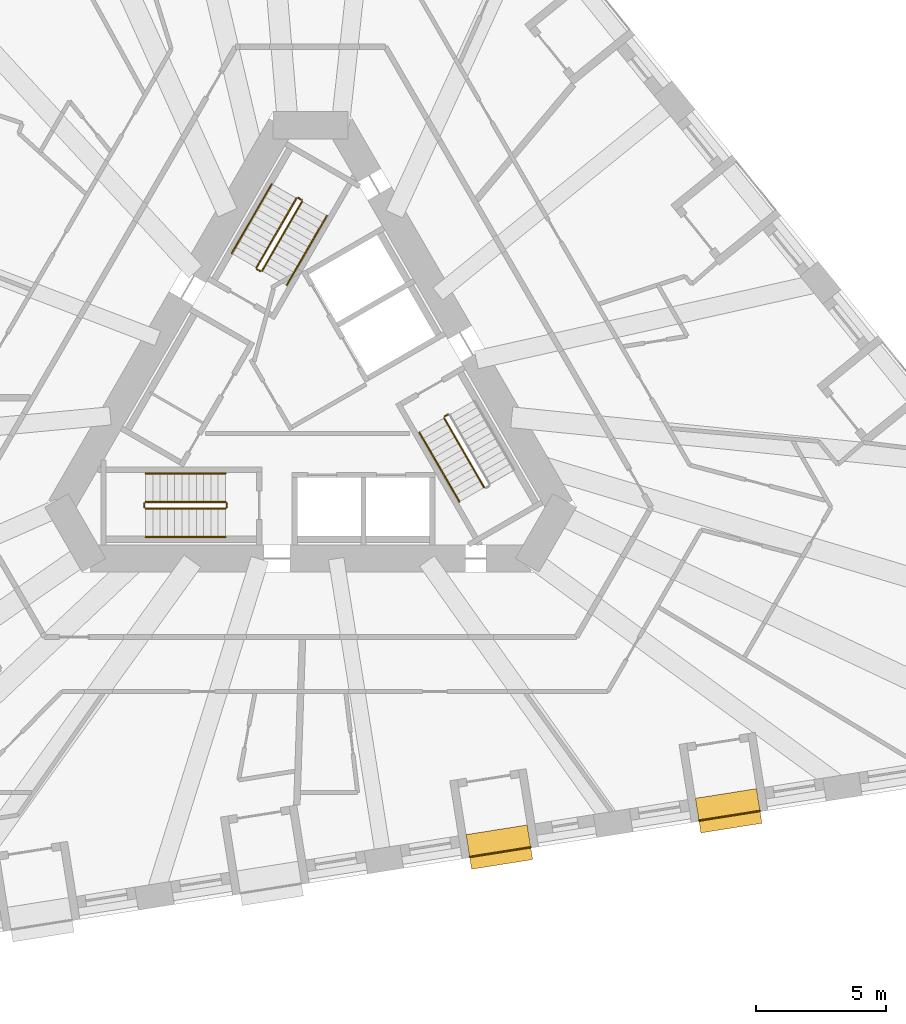
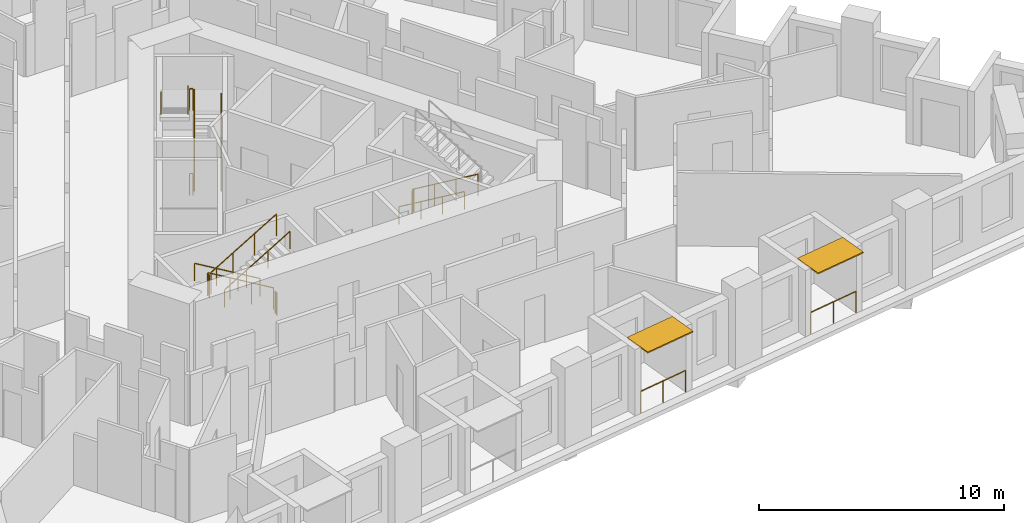
# One storey, part 12 of 14: 17 railings, 2 shading devices.
"""IFC4 building model written with IfcOpenShell, lengths in metres."""

from ifc_helpers import new_model, si_unit, direction, frame, origin, origin_2d, place, context, subcontext, project, spatial, rectangle, circle, extrude, material, layer, layer_set, type_object, element, save


model = new_model("IFC4")

# Units and contexts
model_context = context("Model", 3, precision=1e-05, world=origin(), true_north=direction((0.0, 1.0)))
body_context = subcontext(model_context, "Body", "Model", "MODEL_VIEW")
ifc_project = project(units=[si_unit("LENGTHUNIT", "METRE"), si_unit("AREAUNIT", "SQUARE_METRE"), si_unit("VOLUMEUNIT", "CUBIC_METRE"), si_unit("PLANEANGLEUNIT", "RADIAN"), si_unit("MASSUNIT", "GRAM", prefix="KILO")], contexts=[model_context])

# Site, building, storey
site_placement = place(None, origin())
site = spatial("IfcSite", under=ifc_project, at=site_placement, CompositionType="ELEMENT")
building_placement = place(site_placement, origin())
building = spatial("IfcBuilding", under=site, at=building_placement, Name="Tramontana Tower", CompositionType="ELEMENT")
storey_placement = place(building_placement, frame((0.0, 0.0, 63.199951171875)))
storey = spatial("IfcBuildingStorey", under=building, at=storey_placement, Name="L13", CompositionType="ELEMENT", Elevation=63.199951171875)

# Railings
ifc_material_1 = material(Name="Laminated glass balustrade", Category="glass")
railing_type_1 = type_object("IfcRailingType", Name="GD1 Loggia glass balustrade 1100", PredefinedType="BALUSTRADE", material=ifc_material_1)
railing_1_placement = place(storey_placement, frame((6.1318359375, -17.72900390625, 0.0)))
element("IfcRailing", 1, at=railing_1_placement, inside=storey, type_object=railing_type_1, Name="Loggia balustrade L13 G1S1.10", PredefinedType="BALUSTRADE", context=body_context, shape_type="SweptSolid", body=[
    extrude(circle(Radius=0.02392578125, at=origin_2d()), frame((0.0, 0.0, 1.076171875), z_axis=(0.987688093492, 0.15643602518, 0.0), x_axis=(-0.15643602518, 0.987688093492, 0.0)), (0.0, 0.0, 1.0), 2.383056640625),
    extrude(circle(Radius=0.02099609375, at=origin_2d()), origin(), (0.0, 0.0, 1.0), 1.052001953125),
    extrude(circle(Radius=0.02099609375, at=origin_2d()), frame((1.1767578125, 0.1865234375, 0.0)), (0.0, 0.0, 1.0), 1.052001953125),
    extrude(circle(Radius=0.02099609375, at=origin_2d()), frame((2.353759765625, 0.372802734375, 0.0)), (0.0, 0.0, 1.0), 1.052001953125),
])
railing_2_placement = place(storey_placement, frame((14.970703125, -16.3291015625, 0.0)))
element("IfcRailing", 2, at=railing_2_placement, inside=storey, type_object=railing_type_1, Name="Loggia balustrade L13 G1S1.13", PredefinedType="BALUSTRADE", context=body_context, shape_type="SweptSolid", body=[
    extrude(circle(Radius=0.02392578125, at=origin_2d()), frame((0.0, 0.0, 1.076171875), z_axis=(0.987685586014, 0.156451855793, 0.0), x_axis=(-0.156451855793, 0.987685586014, 0.0)), (0.0, 0.0, 1.0), 2.3828125),
    extrude(circle(Radius=0.02099609375, at=origin_2d()), origin(), (0.0, 0.0, 1.0), 1.052001953125),
    extrude(circle(Radius=0.02099609375, at=origin_2d()), frame((1.1767578125, 0.1865234375, 0.0)), (0.0, 0.0, 1.0), 1.052001953125),
    extrude(circle(Radius=0.02099609375, at=origin_2d()), frame((2.353515625, 0.372802734375, 0.0)), (0.0, 0.0, 1.0), 1.052001953125),
])

# Shading devices
ifc_material_2 = material(Name="Precast concrete 60 MPa", Category="concrete")
ifc_layer = layer(ifc_material_2, 0.06005859375)
ifc_layer_set = layer_set([ifc_layer], Name="SS1 Stone sunshade blade 60")
shading_device_type = type_object("IfcShadingDeviceType", Name="SS1 Stone sunshade blade 60", PredefinedType="USERDEFINED", material=ifc_layer_set)
for number, where, z_axis, x_axis, name in (
    (3, (7.2783203125, -17.35009765625, 3.239990234375), (0.0, 0.0, 1.0), (0.987688340595, 0.15643446504, 0.0), "Sunshade L13 G1S1.10"),
    (4, (16.116943359375, -15.9501953125, 3.239990234375), (0.0, 0.0, 1.0), (0.987688340595, 0.15643446504, 0.0), "Sunshade L13 G1S1.13"),
):
    element("IfcShadingDevice", number, at=place(storey_placement, frame(where, z_axis=z_axis, x_axis=x_axis)), inside=storey, type_object=shading_device_type, Name=name, ObjectType="SUNSHADE", PredefinedType="USERDEFINED", context=body_context, shape_type="SweptSolid", body=[
        extrude(rectangle(XDim=2.383056640625, YDim=1.35009765625, at=origin_2d()), origin(), (0.0, 0.0, 1.0), 0.06005859375),
    ])

# Railings
ifc_material_3 = material(Name="Painted steel", Category="steel")
railing_type_2 = type_object("IfcRailingType", Name="STAIR GUARD 1100", PredefinedType="GUARDRAIL", material=ifc_material_3)
railing_3_placement = place(storey_placement, frame((-1.867431640625, 4.865478515625, 0.166748046875)))
element("IfcRailing", 5, at=railing_3_placement, inside=storey, type_object=railing_type_2, Name="L13 ST1 stair guard 1", PredefinedType="GUARDRAIL", context=body_context, shape_type="SweptSolid", body=[
    extrude(circle(Radius=0.02392578125, at=origin_2d()), frame((0.0, 0.0, 1.076171875), z_axis=(0.429649414936, 0.744189839504, 0.511451721109), x_axis=(-0.866029832698, 0.499992328818, 0.0)), (0.0, 0.0, 1.0), 3.58447265625),
    extrude(circle(Radius=0.02099609375, at=origin_2d()), origin(), (0.0, 0.0, 1.0), 1.052001953125),
    extrude(circle(Radius=0.02099609375, at=origin_2d()), frame((0.513427734375, 0.88916015625, 0.611083984375)), (0.0, 0.0, 1.0), 1.052001953125),
    extrude(circle(Radius=0.02099609375, at=origin_2d()), frame((1.026611328125, 1.7783203125, 1.22216796875)), (0.0, 0.0, 1.0), 1.052001953125),
    extrude(circle(Radius=0.02099609375, at=origin_2d()), frame((1.5400390625, 2.66748046875, 1.833251953125)), (0.0, 0.0, 1.0), 1.052001953125),
])
railing_4_placement = place(storey_placement, frame((-0.5439453125, 7.657958984375, 2.166748046875)))
element("IfcRailing", 6, at=railing_4_placement, inside=storey, type_object=railing_type_2, Name="L13 ST1 stair guard 2", PredefinedType="GUARDRAIL", context=body_context, shape_type="SweptSolid", body=[
    extrude(circle(Radius=0.02392578125, at=origin_2d()), frame((0.0, 0.0, 1.076171875), z_axis=(-0.429649414936, -0.744189839504, 0.511451721109), x_axis=(0.866029832698, -0.499992328818, 0.0)), (0.0, 0.0, 1.0), 3.58447265625),
    extrude(circle(Radius=0.02099609375, at=origin_2d()), origin(), (0.0, 0.0, 1.0), 1.052001953125),
    extrude(circle(Radius=0.02099609375, at=origin_2d()), frame((-0.513427734375, -0.88916015625, 0.611083984375)), (0.0, 0.0, 1.0), 1.052001953125),
    extrude(circle(Radius=0.02099609375, at=origin_2d()), frame((-1.026611328125, -1.7783203125, 1.22216796875)), (0.0, 0.0, 1.0), 1.052001953125),
    extrude(circle(Radius=0.02099609375, at=origin_2d()), frame((-1.5400390625, -2.66748046875, 1.833251953125)), (0.0, 0.0, 1.0), 1.052001953125),
])
railing_5_placement = place(storey_placement, frame((-0.345703125, 7.601318359375, 2.0)))
element("IfcRailing", 7, at=railing_5_placement, inside=storey, type_object=railing_type_2, Name="L13 ST1 stair guard 3", PredefinedType="GUARDRAIL", context=body_context, shape_type="SweptSolid", body=[
    extrude(circle(Radius=0.02392578125, at=origin_2d()), frame((0.0, 0.0, 1.076171875), z_axis=(-0.866131372301, 0.499816412211, 0.0), x_axis=(-0.499816412211, -0.866131372301, 0.0)), (0.0, 0.0, 1.0), 0.14990234375),
    extrude(circle(Radius=0.02099609375, at=origin_2d()), origin(), (0.0, 0.0, 1.0), 1.052001953125),
    extrude(circle(Radius=0.02099609375, at=origin_2d()), frame((-0.1298828125, 0.074951171875, 0.0)), (0.0, 0.0, 1.0), 1.052001953125),
])
railing_6_placement = place(storey_placement, frame((-1.935791015625, 4.84716796875, 0.0)))
element("IfcRailing", 8, at=railing_6_placement, inside=storey, type_object=railing_type_2, Name="L13 ST1 stair guard 4", PredefinedType="GUARDRAIL", context=body_context, shape_type="SweptSolid", body=[
    extrude(circle(Radius=0.02392578125, at=origin_2d()), frame((0.0, 0.0, 1.076171875), z_axis=(-0.865426285481, 0.501036270542, 0.0), x_axis=(-0.501036270542, -0.865426285481, 0.0)), (0.0, 0.0, 1.0), 0.150146484375),
    extrude(circle(Radius=0.02099609375, at=origin_2d()), origin(), (0.0, 0.0, 1.0), 1.052001953125),
    extrude(circle(Radius=0.02099609375, at=origin_2d()), frame((-0.1298828125, 0.0751953125, 0.0)), (0.0, 0.0, 1.0), 1.052001953125),
])
railing_7_placement = place(storey_placement, frame((-3.280029296875, -4.050048828125, 0.166748046875)))
element("IfcRailing", 9, at=railing_7_placement, inside=storey, type_object=railing_type_2, Name="L13 ST2 stair guard 1", PredefinedType="GUARDRAIL", context=body_context, shape_type="SweptSolid", body=[
    extrude(circle(Radius=0.02392578125, at=origin_2d()), frame((0.0, 0.0, 1.076171875), z_axis=(-0.859308565015, 0.0, 0.511457515432), x_axis=(0.0, -1.0, 0.0)), (0.0, 0.0, 1.0), 3.58447265625),
    extrude(circle(Radius=0.02099609375, at=origin_2d()), origin(), (0.0, 0.0, 1.0), 1.052001953125),
    extrude(circle(Radius=0.02099609375, at=origin_2d()), frame((-1.026611328125, 0.0, 0.611083984375)), (0.0, 0.0, 1.0), 1.052001953125),
    extrude(circle(Radius=0.02099609375, at=origin_2d()), frame((-2.053466796875, 0.0, 1.22216796875)), (0.0, 0.0, 1.0), 1.052001953125),
    extrude(circle(Radius=0.02099609375, at=origin_2d()), frame((-3.080078125, 0.0, 1.833251953125)), (0.0, 0.0, 1.0), 1.052001953125),
])
railing_8_placement = place(storey_placement, frame((-6.360107421875, -4.300048828125, 2.166748046875)))
element("IfcRailing", 10, at=railing_8_placement, inside=storey, type_object=railing_type_2, Name="L13 ST2 stair guard 2", PredefinedType="GUARDRAIL", context=body_context, shape_type="SweptSolid", body=[
    extrude(circle(Radius=0.02392578125, at=origin_2d()), frame((0.0, 0.0, 1.076171875), z_axis=(0.859308565015, 0.0, 0.511457515432), x_axis=(0.0, 1.0, 0.0)), (0.0, 0.0, 1.0), 3.58447265625),
    extrude(circle(Radius=0.02099609375, at=origin_2d()), origin(), (0.0, 0.0, 1.0), 1.052001953125),
    extrude(circle(Radius=0.02099609375, at=origin_2d()), frame((1.026611328125, 0.0, 0.611083984375)), (0.0, 0.0, 1.0), 1.052001953125),
    extrude(circle(Radius=0.02099609375, at=origin_2d()), frame((2.053466796875, 0.0, 1.22216796875)), (0.0, 0.0, 1.0), 1.052001953125),
    extrude(circle(Radius=0.02099609375, at=origin_2d()), frame((3.080078125, 0.0, 1.833251953125)), (0.0, 0.0, 1.0), 1.052001953125),
])
for number, where, name in (
    (11, (-6.409912109375, -4.10009765625, 2.0), "L13 ST2 stair guard 3"),
    (12, (-3.22998046875, -4.10009765625, 0.0), "L13 ST2 stair guard 4"),
):
    element("IfcRailing", number, at=place(storey_placement, frame(where)), inside=storey, type_object=railing_type_2, Name=name, PredefinedType="GUARDRAIL", context=body_context, shape_type="SweptSolid", body=[
        extrude(circle(Radius=0.02392578125, at=origin_2d()), frame((0.0, 0.0, 1.076171875), z_axis=(0.0, -1.0, 0.0), x_axis=(1.0, 0.0, 0.0)), (0.0, 0.0, 1.0), 0.14990234375),
        extrude(circle(Radius=0.02099609375, at=origin_2d()), origin(), (0.0, 0.0, 1.0), 1.052001953125),
        extrude(circle(Radius=0.02099609375, at=origin_2d()), frame((0.0, -0.14990234375, 0.0)), (0.0, 0.0, 1.0), 1.052001953125),
    ])
railing_9_placement = place(storey_placement, frame((5.1474609375, -0.815673828125, 0.166748046875)))
element("IfcRailing", 13, at=railing_9_placement, inside=storey, type_object=railing_type_2, Name="L13 ST3 stair guard 1", PredefinedType="GUARDRAIL", context=body_context, shape_type="SweptSolid", body=[
    extrude(circle(Radius=0.02392578125, at=origin_2d()), frame((0.0, 0.0, 1.076171875), z_axis=(0.429671193721, -0.744159446956, 0.511477646425), x_axis=(0.866010015463, 0.500026652407, 0.0)), (0.0, 0.0, 1.0), 3.584228515625),
    extrude(circle(Radius=0.02099609375, at=origin_2d()), origin(), (0.0, 0.0, 1.0), 1.052001953125),
    extrude(circle(Radius=0.02099609375, at=origin_2d()), frame((0.513427734375, -0.88916015625, 0.611083984375)), (0.0, 0.0, 1.0), 1.052001953125),
    extrude(circle(Radius=0.02099609375, at=origin_2d()), frame((1.026611328125, -1.778076171875, 1.22216796875)), (0.0, 0.0, 1.0), 1.052001953125),
    extrude(circle(Radius=0.02099609375, at=origin_2d()), frame((1.5400390625, -2.667236328125, 1.833251953125)), (0.0, 0.0, 1.0), 1.052001953125),
])
railing_10_placement = place(storey_placement, frame((5.165771484375, -0.747314453125, 0.0)))
element("IfcRailing", 14, at=railing_10_placement, inside=storey, type_object=railing_type_2, Name="L13 ST3 stair guard 4", PredefinedType="GUARDRAIL", context=body_context, shape_type="SweptSolid", body=[
    extrude(circle(Radius=0.02392578125, at=origin_2d()), frame((0.0, 0.0, 1.076171875), z_axis=(0.866131372301, 0.499816412211, 0.0), x_axis=(-0.499816412211, 0.866131372301, 0.0)), (0.0, 0.0, 1.0), 0.14990234375),
    extrude(circle(Radius=0.02099609375, at=origin_2d()), origin(), (0.0, 0.0, 1.0), 1.052001953125),
    extrude(circle(Radius=0.02099609375, at=origin_2d()), frame((0.1298828125, 0.074951171875, 0.0)), (0.0, 0.0, 1.0), 1.052001953125),
])
ifc_material_4 = material(Name="Painted steel", Category="steel")
railing_type_3 = type_object("IfcRailingType", Name="STAIR HANDRAIL 900", PredefinedType="HANDRAIL", material=ifc_material_4)
railing_11_placement = place(storey_placement, frame((-0.914794921875, 4.315673828125, 0.166748046875)))
element("IfcRailing", 15, at=railing_11_placement, inside=storey, type_object=railing_type_3, Name="L13 ST1 stair handrail 1", PredefinedType="HANDRAIL", context=body_context, shape_type="SweptSolid", body=[
    extrude(circle(Radius=0.02392578125, at=origin_2d()), frame((0.0, 0.0, 0.8759765625), z_axis=(0.429671193721, 0.744159446956, 0.511477646425), x_axis=(-0.866010015463, 0.500026652407, 0.0)), (0.0, 0.0, 1.0), 3.584228515625),
    extrude(circle(Radius=0.02099609375, at=origin_2d()), origin(), (0.0, 0.0, 1.0), 0.851806640625),
    extrude(circle(Radius=0.02099609375, at=origin_2d()), frame((0.513427734375, 0.88916015625, 0.611083984375)), (0.0, 0.0, 1.0), 0.851806640625),
    extrude(circle(Radius=0.02099609375, at=origin_2d()), frame((1.026611328125, 1.778076171875, 1.22216796875)), (0.0, 0.0, 1.0), 0.851806640625),
    extrude(circle(Radius=0.02099609375, at=origin_2d()), frame((1.5400390625, 2.667236328125, 1.833251953125)), (0.0, 0.0, 1.0), 0.851806640625),
])
railing_12_placement = place(storey_placement, frame((-1.49658203125, 8.2080078125, 2.166748046875)))
element("IfcRailing", 16, at=railing_12_placement, inside=storey, type_object=railing_type_3, Name="L13 ST1 stair handrail 2", PredefinedType="HANDRAIL", context=body_context, shape_type="SweptSolid", body=[
    extrude(circle(Radius=0.02392578125, at=origin_2d()), frame((0.0, 0.0, 0.8759765625), z_axis=(-0.429649414936, -0.744189839504, 0.511451721109), x_axis=(0.866029832698, -0.499992328818, 0.0)), (0.0, 0.0, 1.0), 3.58447265625),
    extrude(circle(Radius=0.02099609375, at=origin_2d()), origin(), (0.0, 0.0, 1.0), 0.851806640625),
    extrude(circle(Radius=0.02099609375, at=origin_2d()), frame((-0.513427734375, -0.88916015625, 0.611083984375)), (0.0, 0.0, 1.0), 0.851806640625),
    extrude(circle(Radius=0.02099609375, at=origin_2d()), frame((-1.026611328125, -1.7783203125, 1.22216796875)), (0.0, 0.0, 1.0), 0.851806640625),
    extrude(circle(Radius=0.02099609375, at=origin_2d()), frame((-1.5400390625, -2.66748046875, 1.833251953125)), (0.0, 0.0, 1.0), 0.851806640625),
])
railing_13_placement = place(storey_placement, frame((-3.280029296875, -2.949951171875, 0.166748046875)))
element("IfcRailing", 17, at=railing_13_placement, inside=storey, type_object=railing_type_3, Name="L13 ST2 stair handrail 1", PredefinedType="HANDRAIL", context=body_context, shape_type="SweptSolid", body=[
    extrude(circle(Radius=0.02392578125, at=origin_2d()), frame((0.0, 0.0, 0.8759765625), z_axis=(-0.859308565015, 0.0, 0.511457515432), x_axis=(0.0, -1.0, 0.0)), (0.0, 0.0, 1.0), 3.58447265625),
    extrude(circle(Radius=0.02099609375, at=origin_2d()), origin(), (0.0, 0.0, 1.0), 0.851806640625),
    extrude(circle(Radius=0.02099609375, at=origin_2d()), frame((-1.026611328125, 0.0, 0.611083984375)), (0.0, 0.0, 1.0), 0.851806640625),
    extrude(circle(Radius=0.02099609375, at=origin_2d()), frame((-2.053466796875, 0.0, 1.22216796875)), (0.0, 0.0, 1.0), 0.851806640625),
    extrude(circle(Radius=0.02099609375, at=origin_2d()), frame((-3.080078125, 0.0, 1.833251953125)), (0.0, 0.0, 1.0), 0.851806640625),
])
railing_14_placement = place(storey_placement, frame((-6.360107421875, -5.39990234375, 2.166748046875)))
element("IfcRailing", 18, at=railing_14_placement, inside=storey, type_object=railing_type_3, Name="L13 ST2 stair handrail 2", PredefinedType="HANDRAIL", context=body_context, shape_type="SweptSolid", body=[
    extrude(circle(Radius=0.02392578125, at=origin_2d()), frame((0.0, 0.0, 0.8759765625), z_axis=(0.859308565015, 0.0, 0.511457515432), x_axis=(0.0, 1.0, 0.0)), (0.0, 0.0, 1.0), 3.58447265625),
    extrude(circle(Radius=0.02099609375, at=origin_2d()), origin(), (0.0, 0.0, 1.0), 0.851806640625),
    extrude(circle(Radius=0.02099609375, at=origin_2d()), frame((1.026611328125, 0.0, 0.611083984375)), (0.0, 0.0, 1.0), 0.851806640625),
    extrude(circle(Radius=0.02099609375, at=origin_2d()), frame((2.053466796875, 0.0, 1.22216796875)), (0.0, 0.0, 1.0), 0.851806640625),
    extrude(circle(Radius=0.02099609375, at=origin_2d()), frame((3.080078125, 0.0, 1.833251953125)), (0.0, 0.0, 1.0), 0.851806640625),
])
railing_15_placement = place(storey_placement, frame((4.19482421875, -1.365478515625, 0.166748046875)))
element("IfcRailing", 19, at=railing_15_placement, inside=storey, type_object=railing_type_3, Name="L13 ST3 stair handrail 1", PredefinedType="HANDRAIL", context=body_context, shape_type="SweptSolid", body=[
    extrude(circle(Radius=0.02392578125, at=origin_2d()), frame((0.0, 0.0, 0.8759765625), z_axis=(0.429649414936, -0.744189839504, 0.511451721109), x_axis=(0.866029832698, 0.499992328818, 0.0)), (0.0, 0.0, 1.0), 3.58447265625),
    extrude(circle(Radius=0.02099609375, at=origin_2d()), origin(), (0.0, 0.0, 1.0), 0.851806640625),
    extrude(circle(Radius=0.02099609375, at=origin_2d()), frame((0.513427734375, -0.88916015625, 0.611083984375)), (0.0, 0.0, 1.0), 0.851806640625),
    extrude(circle(Radius=0.02099609375, at=origin_2d()), frame((1.026611328125, -1.7783203125, 1.22216796875)), (0.0, 0.0, 1.0), 0.851806640625),
    extrude(circle(Radius=0.02099609375, at=origin_2d()), frame((1.5400390625, -2.66748046875, 1.833251953125)), (0.0, 0.0, 1.0), 0.851806640625),
])

save(model, "model.ifc")
